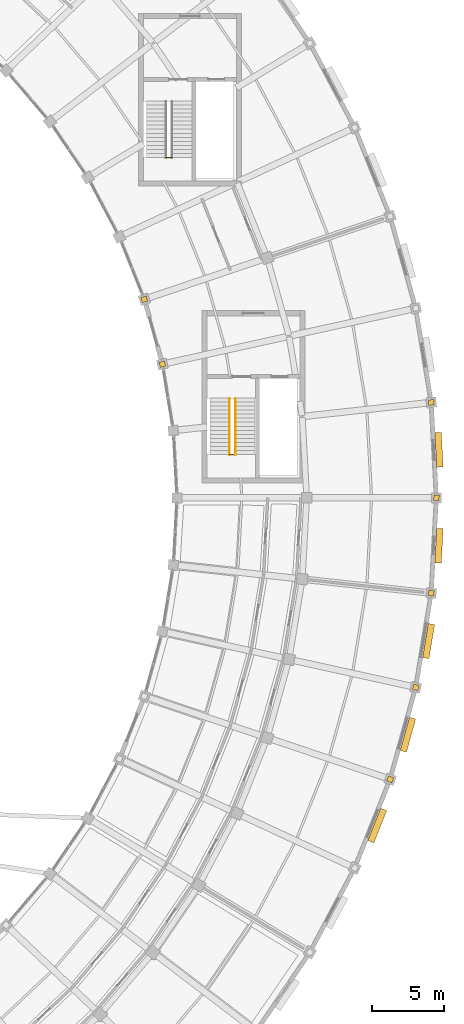
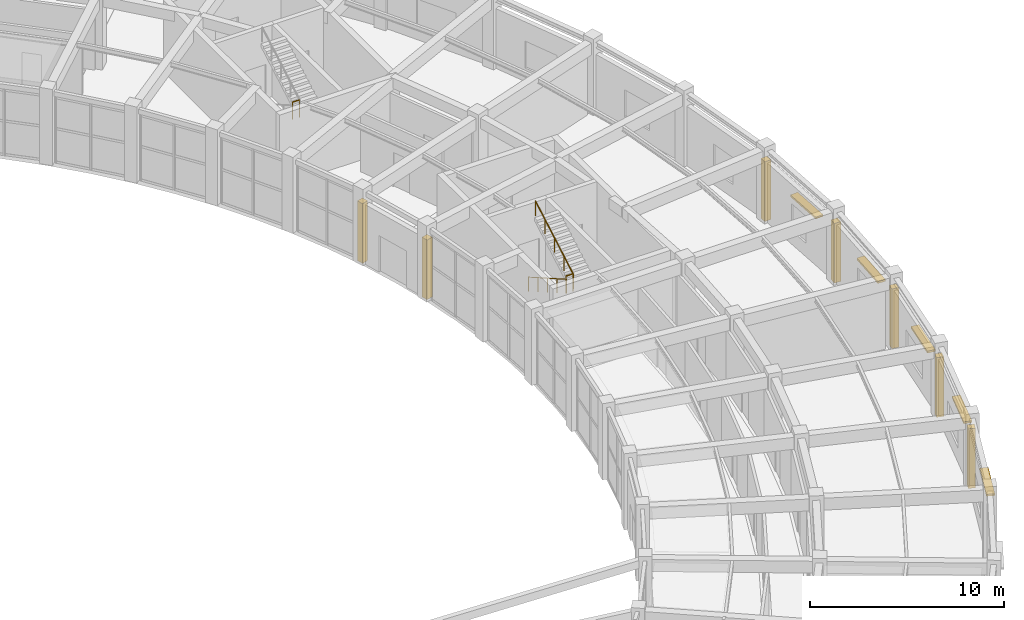
# One storey, part 107 of 108: 7 coverings, 5 shading devices, 4 railings.
"""IFC4 building model written with IfcOpenShell, lengths in metres."""

from ifc_helpers import new_model, si_unit, direction, frame, origin, origin_2d, place, context, subcontext, project, spatial, rectangle, circle, extrude, material, layer, layer_set, type_object, element, save


model = new_model("IFC4")

# Units and contexts
model_context = context("Model", 3, precision=1e-05, world=origin(), true_north=direction((0.0, 1.0)))
body_context = subcontext(model_context, "Body", "Model", "MODEL_VIEW")
ifc_project = project(units=[si_unit("LENGTHUNIT", "METRE"), si_unit("AREAUNIT", "SQUARE_METRE"), si_unit("VOLUMEUNIT", "CUBIC_METRE"), si_unit("PLANEANGLEUNIT", "RADIAN"), si_unit("MASSUNIT", "GRAM", prefix="KILO")], contexts=[model_context])

# Site, building, storey
site_placement = place(None, origin())
site = spatial("IfcSite", under=ifc_project, at=site_placement, CompositionType="ELEMENT")
building_placement = place(site_placement, origin())
building = spatial("IfcBuilding", under=site, at=building_placement, Name="Tarnveldt Headland Concert Hall", CompositionType="ELEMENT")
storey_placement = place(building_placement, origin())
storey = spatial("IfcBuildingStorey", under=building, at=storey_placement, Name="L00", CompositionType="ELEMENT", Elevation=0.0)

# Coverings
ifc_material_1 = material(Name="Coral-toned precast concrete C40/50", Category="concrete")
ifc_layer_1 = layer(ifc_material_1, 0.360107421875, Name="Coral-toned precast concrete C40/50", Category="concrete")
ifc_layer_set_1 = layer_set([ifc_layer_1], Name="Coral-toned precast concrete C40/50")
covering_type = type_object("IfcCoveringType", Name="CV-JNT360", PredefinedType="CLADDING", material=ifc_layer_set_1)
for number, where, z_axis, x_axis, name in (
    (1, (158.238037109375, 73.7626953125, 0.0), (0.0, 0.0, 1.0), (-0.268079200424, 0.963396876837, 0.0), "Precast facade joint closure pilaster L00-174"),
    (2, (159.48974609375, 69.26611328125, 0.0), (0.0, 0.0, 1.0), (-0.268079200424, 0.963396876837, 0.0), "Precast facade joint closure pilaster L00-175"),
    (3, (175.291259765625, 40.476318359375, 0.0), (0.0, 0.0, 1.0), (-0.371043710237, -0.928615402141, 0.0), "Precast facade joint closure pilaster L00-184"),
    (4, (177.06689453125, 46.85498046875, 0.0), (0.0, 0.0, 1.0), (-0.268079200424, -0.963396876837, 0.0), "Precast facade joint closure pilaster L00-186"),
    (5, (178.140625, 53.388427734375, 0.0), (0.0, 0.0, 1.0), (-0.162120515372, -0.986770965572, 0.0), "Precast facade joint closure pilaster L00-188"),
    (6, (178.140625, 66.611572265625, 0.0), (0.0, 0.0, 1.0), (0.054253089686, -0.998527216584, 0.0), "Precast facade joint closure pilaster L00-189"),
    (7, (178.5, 60.0, 0.0), (0.0, 0.0, 1.0), (-0.054253089686, -0.998527216584, 0.0), "Precast facade joint closure pilaster L00-190"),
):
    element("IfcCovering", number, at=place(storey_placement, frame(where, z_axis=z_axis, x_axis=x_axis)), inside=storey, type_object=covering_type, Name=name, PredefinedType="CLADDING", context=body_context, shape_type="SweptSolid", body=[
        extrude(rectangle(XDim=0.3798828125, YDim=0.3798828125, at=origin_2d()), origin(), (0.0, 0.0, 1.0), 3.758056640625),
    ])

# Railings
ifc_material_2 = material(Name="Marine stainless steel", Category="steel")
ifc_layer_2 = layer(ifc_material_2, 0.06005859375, Name="Marine stainless steel", Category="steel")
ifc_layer_set_2 = layer_set([ifc_layer_2], Name="Marine stainless steel")
railing_type_1 = type_object("IfcRailingType", Name="RL-GRD110", PredefinedType="GUARDRAIL", material=ifc_layer_set_2)
railing_1_placement = place(storey_placement, frame((159.75, 83.60009765625, 2.39990234375)))
element("IfcRailing", 8, at=railing_1_placement, inside=storey, type_object=railing_type_1, Name="GUARD STR-C3-L00 half-landing well", PredefinedType="GUARDRAIL", context=body_context, shape_type="SweptSolid", body=[
    extrude(circle(Radius=0.02392578125, at=origin_2d()), frame((0.0, 0.0, 1.076171875), z_axis=(1.0, 0.0, 0.0), x_axis=(0.0, 1.0, 0.0)), (0.0, 0.0, 1.0), 0.419921875),
    extrude(circle(Radius=0.02099609375, at=origin_2d()), origin(), (0.0, 0.0, 1.0), 1.052001953125),
    extrude(circle(Radius=0.02099609375, at=origin_2d()), frame((0.419921875, 0.0, 0.0)), (0.0, 0.0, 1.0), 1.052001953125),
])
railing_2_placement = place(storey_placement, frame((164.14990234375, 63.0, 2.39990234375)))
element("IfcRailing", 9, at=railing_2_placement, inside=storey, type_object=railing_type_1, Name="GUARD STR-C4-L00 half-landing well", PredefinedType="GUARDRAIL", context=body_context, shape_type="SweptSolid", body=[
    extrude(circle(Radius=0.02392578125, at=origin_2d()), frame((0.0, 0.0, 1.076171875), z_axis=(1.0, 0.0, 0.0), x_axis=(0.0, 1.0, 0.0)), (0.0, 0.0, 1.0), 0.420166015625),
    extrude(circle(Radius=0.02099609375, at=origin_2d()), origin(), (0.0, 0.0, 1.0), 1.052001953125),
    extrude(circle(Radius=0.02099609375, at=origin_2d()), frame((0.420166015625, 0.0, 0.0)), (0.0, 0.0, 1.0), 1.052001953125),
])
ifc_layer_3 = layer(ifc_material_2, 0.048095703125, Name="Marine stainless steel", Category="steel")
ifc_layer_set_3 = layer_set([ifc_layer_3], Name="Marine stainless steel")
railing_type_2 = type_object("IfcRailingType", Name="RL-HND092", PredefinedType="HANDRAIL", material=ifc_layer_set_3)
railing_3_placement = place(storey_placement, frame((164.14990234375, 66.8798828125, 0.159912109375)))
element("IfcRailing", 10, at=railing_3_placement, inside=storey, type_object=railing_type_2, Name="HANDRAIL STR-C4-L00 flight 1", PredefinedType="HANDRAIL", context=body_context, shape_type="SweptSolid", body=[
    extrude(circle(Radius=0.02392578125, at=origin_2d()), frame((0.0, 0.0, 0.89599609375), z_axis=(0.0, -0.868239814368, 0.496144761885), x_axis=(1.0, 0.0, 0.0)), (0.0, 0.0, 1.0), 4.514892578125),
    extrude(circle(Radius=0.02099609375, at=origin_2d()), origin(), (0.0, 0.0, 1.0), 0.871826171875),
    extrude(circle(Radius=0.02099609375, at=origin_2d()), frame((0.0, -0.97998046875, 0.56005859375)), (0.0, 0.0, 1.0), 0.871826171875),
    extrude(circle(Radius=0.02099609375, at=origin_2d()), frame((0.0, -1.9599609375, 1.1201171875)), (0.0, 0.0, 1.0), 0.871826171875),
    extrude(circle(Radius=0.02099609375, at=origin_2d()), frame((0.0, -2.93994140625, 1.679931640625)), (0.0, 0.0, 1.0), 0.871826171875),
    extrude(circle(Radius=0.02099609375, at=origin_2d()), frame((0.0, -3.919921875, 2.239990234375)), (0.0, 0.0, 1.0), 0.871826171875),
])
railing_4_placement = place(storey_placement, frame((164.570068359375, 62.9599609375, 2.56005859375)))
element("IfcRailing", 11, at=railing_4_placement, inside=storey, type_object=railing_type_2, Name="HANDRAIL STR-C4-L00 flight 2", PredefinedType="HANDRAIL", context=body_context, shape_type="SweptSolid", body=[
    extrude(circle(Radius=0.02392578125, at=origin_2d()), frame((0.0, 0.0, 0.89599609375), z_axis=(0.0, 0.868239814368, 0.496144761885), x_axis=(-1.0, 0.0, 0.0)), (0.0, 0.0, 1.0), 4.514892578125),
    extrude(circle(Radius=0.02099609375, at=origin_2d()), origin(), (0.0, 0.0, 1.0), 0.871826171875),
    extrude(circle(Radius=0.02099609375, at=origin_2d()), frame((0.0, 0.97998046875, 0.56005859375)), (0.0, 0.0, 1.0), 0.871826171875),
    extrude(circle(Radius=0.02099609375, at=origin_2d()), frame((0.0, 1.9599609375, 1.1201171875)), (0.0, 0.0, 1.0), 0.871826171875),
    extrude(circle(Radius=0.02099609375, at=origin_2d()), frame((0.0, 2.93994140625, 1.679931640625)), (0.0, 0.0, 1.0), 0.871826171875),
    extrude(circle(Radius=0.02099609375, at=origin_2d()), frame((0.0, 3.919921875, 2.239990234375)), (0.0, 0.0, 1.0), 0.871826171875),
])

# Shading devices
ifc_material_3 = material(Name="Terracotta-anodised aluminium EN AW-6063-T6", Category="masonry")
shading_device_type = type_object("IfcShadingDeviceType", Name="SD-LVR450", PredefinedType="USERDEFINED", material=ifc_material_3)
for number, where, z_axis, x_axis, name in (
    (12, (174.39501953125, 37.269287109375, 2.469970703125), (0.0, 0.0, 1.0), (0.928615402141, -0.371043710237, 0.0), "Crescent coastal solar louvre L00-6"),
    (13, (176.5234375, 43.569580078125, 2.469970703125), (0.0, 0.0, 1.0), (0.963350073517, -0.268247340815, 0.0), "Crescent coastal solar louvre L00-7"),
    (14, (177.95654296875, 50.063720703125, 2.469970703125), (0.0, 0.0, 1.0), (0.986770965572, -0.162120515372, 0.0), "Crescent coastal solar louvre L00-8"),
    (15, (178.67724609375, 56.6748046875, 2.56982421875), (0.0, 0.0, 1.0), (0.998527216584, -0.054253089686, 0.0), "Crescent coastal solar louvre L00-9"),
    (16, (178.67724609375, 63.3251953125, 2.56982421875), (0.0, 0.0, 1.0), (0.998527216584, 0.054253089686, 0.0), "Crescent coastal solar louvre L00-10"),
):
    element("IfcShadingDevice", number, at=place(storey_placement, frame(where, z_axis=z_axis, x_axis=x_axis)), inside=storey, type_object=shading_device_type, Name=name, ObjectType="LOUVRE", PredefinedType="USERDEFINED", context=body_context, shape_type="SweptSolid", body=[
        extrude(rectangle(XDim=0.449951171875, YDim=2.39990234375, at=origin_2d()), origin(), (0.0, 0.0, 1.0), 0.1201171875),
    ])

save(model, "model.ifc")
